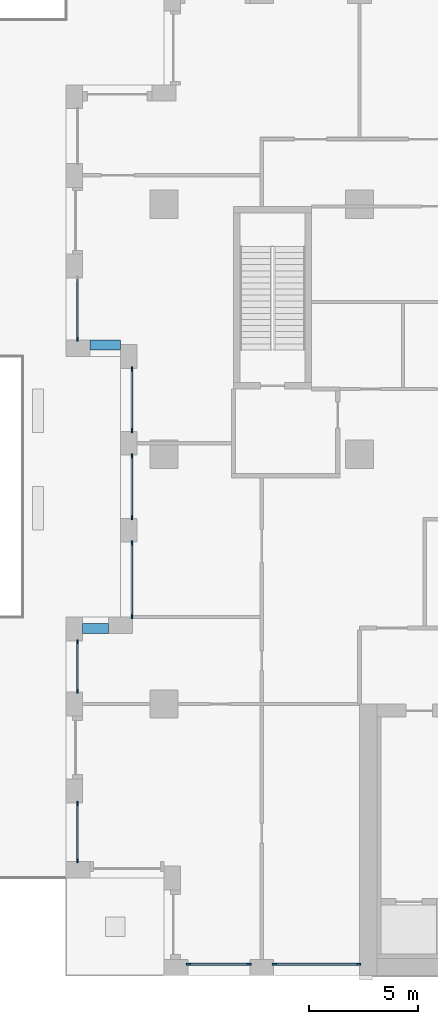
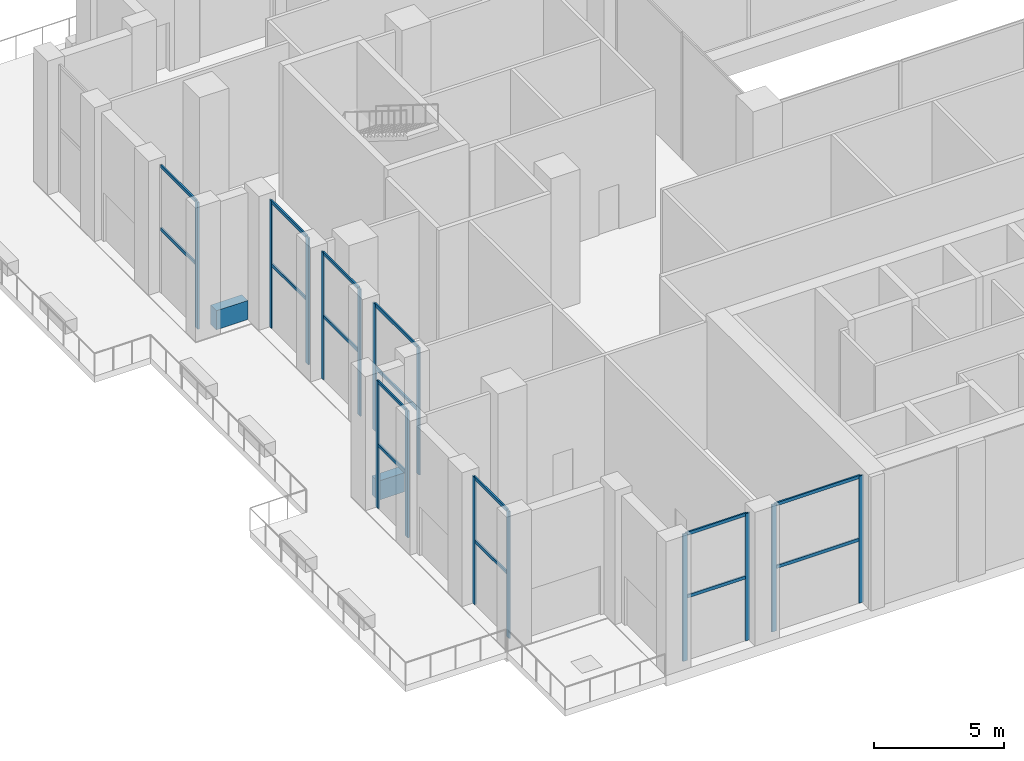
# One storey, part 2 of 21: 31 members, 2 beams, 8 elements without a shape of their own.
"""IFC4 building model written with IfcOpenShell, lengths in metres."""

from ifc_helpers import new_model, si_unit, direction, frame, origin, origin_2d, place, context, subcontext, project, spatial, rectangle, extrude, material, layer, layer_set, material_profile, profile_set, type_object, element, aggregate, save


model = new_model("IFC4")

# Units and contexts
model_context = context("Model", 3, precision=1e-05, world=origin(), true_north=direction((0.0, 1.0)))
body_context = subcontext(model_context, "Body", "Model", "MODEL_VIEW")
ifc_project = project(units=[si_unit("LENGTHUNIT", "METRE"), si_unit("AREAUNIT", "SQUARE_METRE"), si_unit("VOLUMEUNIT", "CUBIC_METRE"), si_unit("PLANEANGLEUNIT", "RADIAN"), si_unit("MASSUNIT", "GRAM", prefix="KILO")], contexts=[model_context])

# Site, building, storey
site_placement = place(None, origin())
site = spatial("IfcSite", under=ifc_project, at=site_placement, CompositionType="ELEMENT")
building_placement = place(site_placement, origin())
building = spatial("IfcBuilding", under=site, at=building_placement, Name="Brigalow Station Residences", CompositionType="ELEMENT")
storey_placement = place(building_placement, frame((0.0, 0.0, 77.25)))
storey = spatial("IfcBuildingStorey", under=building, at=storey_placement, Name="L22", CompositionType="ELEMENT", Elevation=77.25)

# Curtain wall, members
ifc_material_1 = material(Name="Aluminium", Category="aluminium")
ifc_layer = layer(ifc_material_1, 0.199951171875)
ifc_layer_set = layer_set([ifc_layer], Name="SKY FLOOR GLAZING CURTAIN WALL")
curtain_wall_type = type_object("IfcCurtainWallType", Name="SKY FLOOR GLAZING CURTAIN WALL", PredefinedType="NOTDEFINED", material=ifc_layer_set)
curtain_wall_1_placement = place(storey_placement, origin())
curtain_wall_1 = element("IfcCurtainWall", 1, at=curtain_wall_1_placement, inside=storey, type_object=curtain_wall_type, Name="L22/cw/W-L22-1", PredefinedType="NOTDEFINED")
ifc_material_2 = material(Name="Aluminium", Category="aluminium")
ifc_material_profile_1 = material_profile(ifc_material_2, rectangle(XDim=0.070068359375, YDim=0.199951171875, at=origin_2d()), Name="SKY FLOOR GLAZING MULLION 70x200")
ifc_profile_set_1 = profile_set([ifc_material_profile_1], Name="Aluminium")
member_type_1 = type_object("IfcMemberType", Name="SKY FLOOR GLAZING MULLION 70x200", PredefinedType="MULLION", material=ifc_profile_set_1)
member_1_placement = place(storey_placement, frame((10.135009765625, 0.52490234375, 0.0), z_axis=(0.0, 0.0, 1.0), x_axis=(0.0, 1.0, 0.0)))
member_1 = element("IfcMember", 2, at=member_1_placement, type_object=member_type_1, Name="L22/cw/W-L22-1/M00", PredefinedType="MULLION", context=body_context, shape_type="SweptSolid", body=[
    extrude(rectangle(XDim=0.070068359375, YDim=0.199951171875, at=origin_2d()), origin(), (0.0, 0.0, 1.0), 5.97998046875),
])
member_2_placement = place(storey_placement, frame((12.9150390625, 0.52490234375, 0.0), z_axis=(0.0, 0.0, 1.0), x_axis=(0.0, 1.0, 0.0)))
member_2 = element("IfcMember", 3, at=member_2_placement, type_object=member_type_1, Name="L22/cw/W-L22-1/M01", PredefinedType="MULLION", context=body_context, shape_type="SweptSolid", body=[
    extrude(rectangle(XDim=0.070068359375, YDim=0.199951171875, at=origin_2d()), origin(), (0.0, 0.0, 1.0), 5.97998046875),
])

curtain_wall_2_placement = place(storey_placement, origin())
curtain_wall_2 = element("IfcCurtainWall", 4, at=curtain_wall_2_placement, inside=storey, type_object=curtain_wall_type, Name="L22/cw/W-L22-2", PredefinedType="NOTDEFINED")
member_3_placement = place(storey_placement, frame((14.0849609375, 0.52490234375, 0.0), z_axis=(0.0, 0.0, 1.0), x_axis=(0.0, 1.0, 0.0)))
member_3 = element("IfcMember", 5, at=member_3_placement, type_object=member_type_1, Name="L22/cw/W-L22-2/M00", PredefinedType="MULLION", context=body_context, shape_type="SweptSolid", body=[
    extrude(rectangle(XDim=0.070068359375, YDim=0.199951171875, at=origin_2d()), origin(), (0.0, 0.0, 1.0), 5.97998046875),
])
member_4_placement = place(storey_placement, frame((17.965087890625, 0.52490234375, 0.0), z_axis=(0.0, 0.0, 1.0), x_axis=(0.0, 1.0, 0.0)))
member_4 = element("IfcMember", 6, at=member_4_placement, type_object=member_type_1, Name="L22/cw/W-L22-2/M01", PredefinedType="MULLION", context=body_context, shape_type="SweptSolid", body=[
    extrude(rectangle(XDim=0.070068359375, YDim=0.199951171875, at=origin_2d()), origin(), (0.0, 0.0, 1.0), 5.97998046875),
])

# Curtain wall, member
curtain_wall_3_placement = place(storey_placement, origin())
curtain_wall_3 = element("IfcCurtainWall", 7, at=curtain_wall_3_placement, inside=storey, type_object=curtain_wall_type, Name="L22/cw/W-L22-41", PredefinedType="NOTDEFINED")
member_5_placement = place(storey_placement, frame((5.02490234375, 29.284912109375, 0.0), z_axis=(0.0, 0.0, 1.0), x_axis=(1.0, 0.0, 0.0)))
member_5 = element("IfcMember", 8, at=member_5_placement, type_object=member_type_1, Name="L22/cw/W-L22-41/M01", PredefinedType="MULLION", context=body_context, shape_type="SweptSolid", body=[
    extrude(rectangle(XDim=0.070068359375, YDim=0.199951171875, at=origin_2d()), origin(), (0.0, 0.0, 1.0), 5.97998046875),
])

# Curtain wall, members
curtain_wall_4_placement = place(storey_placement, origin())
curtain_wall_4 = element("IfcCurtainWall", 9, at=curtain_wall_4_placement, inside=storey, type_object=curtain_wall_type, Name="L22/cw/W-L22-43", PredefinedType="NOTDEFINED")
member_6_placement = place(storey_placement, frame((7.52490234375, 27.9150390625, 0.0), z_axis=(0.0, 0.0, 1.0), x_axis=(1.0, 0.0, 0.0)))
member_6 = element("IfcMember", 10, at=member_6_placement, type_object=member_type_1, Name="L22/cw/W-L22-43/M00", PredefinedType="MULLION", context=body_context, shape_type="SweptSolid", body=[
    extrude(rectangle(XDim=0.070068359375, YDim=0.199951171875, at=origin_2d()), origin(), (0.0, 0.0, 1.0), 5.97998046875),
])
member_7_placement = place(storey_placement, frame((7.52490234375, 25.0849609375, 0.0), z_axis=(0.0, 0.0, 1.0), x_axis=(1.0, 0.0, 0.0)))
member_7 = element("IfcMember", 11, at=member_7_placement, type_object=member_type_1, Name="L22/cw/W-L22-43/M01", PredefinedType="MULLION", context=body_context, shape_type="SweptSolid", body=[
    extrude(rectangle(XDim=0.070068359375, YDim=0.199951171875, at=origin_2d()), origin(), (0.0, 0.0, 1.0), 5.97998046875),
])

curtain_wall_5_placement = place(storey_placement, origin())
curtain_wall_5 = element("IfcCurtainWall", 12, at=curtain_wall_5_placement, inside=storey, type_object=curtain_wall_type, Name="L22/cw/W-L22-44", PredefinedType="NOTDEFINED")
member_8_placement = place(storey_placement, frame((7.52490234375, 23.9150390625, 0.0), z_axis=(0.0, 0.0, 1.0), x_axis=(1.0, 0.0, 0.0)))
member_8 = element("IfcMember", 13, at=member_8_placement, type_object=member_type_1, Name="L22/cw/W-L22-44/M00", PredefinedType="MULLION", context=body_context, shape_type="SweptSolid", body=[
    extrude(rectangle(XDim=0.070068359375, YDim=0.199951171875, at=origin_2d()), origin(), (0.0, 0.0, 1.0), 5.97998046875),
])
member_9_placement = place(storey_placement, frame((7.52490234375, 21.0849609375, 0.0), z_axis=(0.0, 0.0, 1.0), x_axis=(1.0, 0.0, 0.0)))
member_9 = element("IfcMember", 14, at=member_9_placement, type_object=member_type_1, Name="L22/cw/W-L22-44/M01", PredefinedType="MULLION", context=body_context, shape_type="SweptSolid", body=[
    extrude(rectangle(XDim=0.070068359375, YDim=0.199951171875, at=origin_2d()), origin(), (0.0, 0.0, 1.0), 5.97998046875),
])

curtain_wall_6_placement = place(storey_placement, origin())
curtain_wall_6 = element("IfcCurtainWall", 15, at=curtain_wall_6_placement, inside=storey, type_object=curtain_wall_type, Name="L22/cw/W-L22-45", PredefinedType="NOTDEFINED")
member_10_placement = place(storey_placement, frame((7.52490234375, 19.9150390625, 0.0), z_axis=(0.0, 0.0, 1.0), x_axis=(1.0, 0.0, 0.0)))
member_10 = element("IfcMember", 16, at=member_10_placement, type_object=member_type_1, Name="L22/cw/W-L22-45/M00", PredefinedType="MULLION", context=body_context, shape_type="SweptSolid", body=[
    extrude(rectangle(XDim=0.070068359375, YDim=0.199951171875, at=origin_2d()), origin(), (0.0, 0.0, 1.0), 5.97998046875),
])
member_11_placement = place(storey_placement, frame((7.52490234375, 16.534912109375, 0.0), z_axis=(0.0, 0.0, 1.0), x_axis=(1.0, 0.0, 0.0)))
member_11 = element("IfcMember", 17, at=member_11_placement, type_object=member_type_1, Name="L22/cw/W-L22-45/M01", PredefinedType="MULLION", context=body_context, shape_type="SweptSolid", body=[
    extrude(rectangle(XDim=0.070068359375, YDim=0.199951171875, at=origin_2d()), origin(), (0.0, 0.0, 1.0), 5.97998046875),
])

curtain_wall_7_placement = place(storey_placement, origin())
curtain_wall_7 = element("IfcCurtainWall", 18, at=curtain_wall_7_placement, inside=storey, type_object=curtain_wall_type, Name="L22/cw/W-L22-47", PredefinedType="NOTDEFINED")
member_12_placement = place(storey_placement, frame((5.02490234375, 15.364990234375, 0.0), z_axis=(0.0, 0.0, 1.0), x_axis=(1.0, 0.0, 0.0)))
member_12 = element("IfcMember", 19, at=member_12_placement, type_object=member_type_1, Name="L22/cw/W-L22-47/M00", PredefinedType="MULLION", context=body_context, shape_type="SweptSolid", body=[
    extrude(rectangle(XDim=0.070068359375, YDim=0.199951171875, at=origin_2d()), origin(), (0.0, 0.0, 1.0), 5.97998046875),
])
member_13_placement = place(storey_placement, frame((5.02490234375, 13.0849609375, 0.0), z_axis=(0.0, 0.0, 1.0), x_axis=(1.0, 0.0, 0.0)))
member_13 = element("IfcMember", 20, at=member_13_placement, type_object=member_type_1, Name="L22/cw/W-L22-47/M01", PredefinedType="MULLION", context=body_context, shape_type="SweptSolid", body=[
    extrude(rectangle(XDim=0.070068359375, YDim=0.199951171875, at=origin_2d()), origin(), (0.0, 0.0, 1.0), 5.97998046875),
])

curtain_wall_8_placement = place(storey_placement, origin())
curtain_wall_8 = element("IfcCurtainWall", 21, at=curtain_wall_8_placement, inside=storey, type_object=curtain_wall_type, Name="L22/cw/W-L22-49", PredefinedType="NOTDEFINED")
member_14_placement = place(storey_placement, frame((5.02490234375, 7.9150390625, 0.0), z_axis=(0.0, 0.0, 1.0), x_axis=(1.0, 0.0, 0.0)))
member_14 = element("IfcMember", 22, at=member_14_placement, type_object=member_type_1, Name="L22/cw/W-L22-49/M00", PredefinedType="MULLION", context=body_context, shape_type="SweptSolid", body=[
    extrude(rectangle(XDim=0.070068359375, YDim=0.199951171875, at=origin_2d()), origin(), (0.0, 0.0, 1.0), 5.97998046875),
])
member_15_placement = place(storey_placement, frame((5.02490234375, 5.284912109375, 0.0), z_axis=(0.0, 0.0, 1.0), x_axis=(1.0, 0.0, 0.0)))
member_15 = element("IfcMember", 23, at=member_15_placement, type_object=member_type_1, Name="L22/cw/W-L22-49/M01", PredefinedType="MULLION", context=body_context, shape_type="SweptSolid", body=[
    extrude(rectangle(XDim=0.070068359375, YDim=0.199951171875, at=origin_2d()), origin(), (0.0, 0.0, 1.0), 5.97998046875),
])

# Member
ifc_material_3 = material(Name="Aluminium", Category="aluminium")
ifc_material_profile_2 = material_profile(ifc_material_3, rectangle(XDim=0.070068359375, YDim=0.14990234375, at=origin_2d()), Name="SKY FLOOR GLAZING TRANSOM 70x150")
ifc_profile_set_2 = profile_set([ifc_material_profile_2], Name="Aluminium")
member_type_2 = type_object("IfcMemberType", Name="SKY FLOOR GLAZING TRANSOM 70x150", PredefinedType="USERDEFINED", material=ifc_profile_set_2)
member_16_placement = place(storey_placement, frame((10.169921875, 0.52490234375, 2.989990234375), z_axis=(1.0, 0.0, 0.0), x_axis=(0.0, 1.0, 0.0)))
member_16 = element("IfcMember", 24, at=member_16_placement, type_object=member_type_2, Name="L22/cw/W-L22-1/T00-00", ObjectType="TRANSOM", PredefinedType="USERDEFINED", context=body_context, shape_type="SweptSolid", body=[
    extrude(rectangle(XDim=0.070068359375, YDim=0.14990234375, at=origin_2d()), origin(), (0.0, 0.0, 1.0), 2.7099609375),
])

member_17_placement = place(storey_placement, frame((10.169921875, 0.52490234375, 5.945068359375), z_axis=(1.0, 0.0, 0.0), x_axis=(0.0, 1.0, 0.0)))
member_17 = element("IfcMember", 25, at=member_17_placement, type_object=member_type_2, Name="L22/cw/W-L22-1/T00-01", ObjectType="TRANSOM", PredefinedType="USERDEFINED", context=body_context, shape_type="SweptSolid", body=[
    extrude(rectangle(XDim=0.070068359375, YDim=0.14990234375, at=origin_2d()), origin(), (0.0, 0.0, 1.0), 2.7099609375),
])

aggregate(curtain_wall_1, [member_1, member_2, member_16, member_17])

member_18_placement = place(storey_placement, frame((14.1201171875, 0.52490234375, 2.989990234375), z_axis=(1.0, 0.0, 0.0), x_axis=(0.0, 1.0, 0.0)))
member_18 = element("IfcMember", 26, at=member_18_placement, type_object=member_type_2, Name="L22/cw/W-L22-2/T00-00", ObjectType="TRANSOM", PredefinedType="USERDEFINED", context=body_context, shape_type="SweptSolid", body=[
    extrude(rectangle(XDim=0.070068359375, YDim=0.14990234375, at=origin_2d()), origin(), (0.0, 0.0, 1.0), 3.809814453125),
])

member_19_placement = place(storey_placement, frame((14.1201171875, 0.52490234375, 5.945068359375), z_axis=(1.0, 0.0, 0.0), x_axis=(0.0, 1.0, 0.0)))
member_19 = element("IfcMember", 27, at=member_19_placement, type_object=member_type_2, Name="L22/cw/W-L22-2/T00-01", ObjectType="TRANSOM", PredefinedType="USERDEFINED", context=body_context, shape_type="SweptSolid", body=[
    extrude(rectangle(XDim=0.070068359375, YDim=0.14990234375, at=origin_2d()), origin(), (0.0, 0.0, 1.0), 3.809814453125),
])

aggregate(curtain_wall_2, [member_3, member_4, member_18, member_19])

member_20_placement = place(storey_placement, frame((5.02490234375, 32.047119140625, 2.989990234375), z_axis=(0.0, -1.0, 0.0), x_axis=(1.0, 0.0, 0.0)))
member_20 = element("IfcMember", 28, at=member_20_placement, type_object=member_type_2, Name="L22/cw/W-L22-41/T00-00", ObjectType="TRANSOM", PredefinedType="USERDEFINED", context=body_context, shape_type="SweptSolid", body=[
    extrude(rectangle(XDim=0.070068359375, YDim=0.14990234375, at=origin_2d()), origin(), (0.0, 0.0, 1.0), 2.72705078125),
])

member_21_placement = place(storey_placement, frame((5.02490234375, 32.047119140625, 5.945068359375), z_axis=(0.0, -1.0, 0.0), x_axis=(1.0, 0.0, 0.0)))
member_21 = element("IfcMember", 29, at=member_21_placement, type_object=member_type_2, Name="L22/cw/W-L22-41/T00-01", ObjectType="TRANSOM", PredefinedType="USERDEFINED", context=body_context, shape_type="SweptSolid", body=[
    extrude(rectangle(XDim=0.070068359375, YDim=0.14990234375, at=origin_2d()), origin(), (0.0, 0.0, 1.0), 2.72705078125),
])

aggregate(curtain_wall_3, [member_5, member_20, member_21])

member_22_placement = place(storey_placement, frame((7.52490234375, 27.8798828125, 2.989990234375), z_axis=(0.0, -1.0, 0.0), x_axis=(1.0, 0.0, 0.0)))
member_22 = element("IfcMember", 30, at=member_22_placement, type_object=member_type_2, Name="L22/cw/W-L22-43/T00-00", ObjectType="TRANSOM", PredefinedType="USERDEFINED", context=body_context, shape_type="SweptSolid", body=[
    extrude(rectangle(XDim=0.070068359375, YDim=0.14990234375, at=origin_2d()), origin(), (0.0, 0.0, 1.0), 2.759765625),
])

member_23_placement = place(storey_placement, frame((7.52490234375, 27.8798828125, 5.945068359375), z_axis=(0.0, -1.0, 0.0), x_axis=(1.0, 0.0, 0.0)))
member_23 = element("IfcMember", 31, at=member_23_placement, type_object=member_type_2, Name="L22/cw/W-L22-43/T00-01", ObjectType="TRANSOM", PredefinedType="USERDEFINED", context=body_context, shape_type="SweptSolid", body=[
    extrude(rectangle(XDim=0.070068359375, YDim=0.14990234375, at=origin_2d()), origin(), (0.0, 0.0, 1.0), 2.759765625),
])

aggregate(curtain_wall_4, [member_6, member_7, member_22, member_23])

member_24_placement = place(storey_placement, frame((7.52490234375, 23.8798828125, 2.989990234375), z_axis=(0.0, -1.0, 0.0), x_axis=(1.0, 0.0, 0.0)))
member_24 = element("IfcMember", 32, at=member_24_placement, type_object=member_type_2, Name="L22/cw/W-L22-44/T00-00", ObjectType="TRANSOM", PredefinedType="USERDEFINED", context=body_context, shape_type="SweptSolid", body=[
    extrude(rectangle(XDim=0.070068359375, YDim=0.14990234375, at=origin_2d()), origin(), (0.0, 0.0, 1.0), 2.759765625),
])

member_25_placement = place(storey_placement, frame((7.52490234375, 23.8798828125, 5.945068359375), z_axis=(0.0, -1.0, 0.0), x_axis=(1.0, 0.0, 0.0)))
member_25 = element("IfcMember", 33, at=member_25_placement, type_object=member_type_2, Name="L22/cw/W-L22-44/T00-01", ObjectType="TRANSOM", PredefinedType="USERDEFINED", context=body_context, shape_type="SweptSolid", body=[
    extrude(rectangle(XDim=0.070068359375, YDim=0.14990234375, at=origin_2d()), origin(), (0.0, 0.0, 1.0), 2.759765625),
])

aggregate(curtain_wall_5, [member_8, member_9, member_24, member_25])

member_26_placement = place(storey_placement, frame((7.52490234375, 19.8798828125, 2.989990234375), z_axis=(0.0, -1.0, 0.0), x_axis=(1.0, 0.0, 0.0)))
member_26 = element("IfcMember", 34, at=member_26_placement, type_object=member_type_2, Name="L22/cw/W-L22-45/T00-00", ObjectType="TRANSOM", PredefinedType="USERDEFINED", context=body_context, shape_type="SweptSolid", body=[
    extrude(rectangle(XDim=0.070068359375, YDim=0.14990234375, at=origin_2d()), origin(), (0.0, 0.0, 1.0), 3.309814453125),
])

member_27_placement = place(storey_placement, frame((7.52490234375, 19.8798828125, 5.945068359375), z_axis=(0.0, -1.0, 0.0), x_axis=(1.0, 0.0, 0.0)))
member_27 = element("IfcMember", 35, at=member_27_placement, type_object=member_type_2, Name="L22/cw/W-L22-45/T00-01", ObjectType="TRANSOM", PredefinedType="USERDEFINED", context=body_context, shape_type="SweptSolid", body=[
    extrude(rectangle(XDim=0.070068359375, YDim=0.14990234375, at=origin_2d()), origin(), (0.0, 0.0, 1.0), 3.309814453125),
])

aggregate(curtain_wall_6, [member_10, member_11, member_26, member_27])

member_28_placement = place(storey_placement, frame((5.02490234375, 15.330078125, 2.989990234375), z_axis=(0.0, -1.0, 0.0), x_axis=(1.0, 0.0, 0.0)))
member_28 = element("IfcMember", 36, at=member_28_placement, type_object=member_type_2, Name="L22/cw/W-L22-47/T00-00", ObjectType="TRANSOM", PredefinedType="USERDEFINED", context=body_context, shape_type="SweptSolid", body=[
    extrude(rectangle(XDim=0.070068359375, YDim=0.14990234375, at=origin_2d()), origin(), (0.0, 0.0, 1.0), 2.2099609375),
])

member_29_placement = place(storey_placement, frame((5.02490234375, 15.330078125, 5.945068359375), z_axis=(0.0, -1.0, 0.0), x_axis=(1.0, 0.0, 0.0)))
member_29 = element("IfcMember", 37, at=member_29_placement, type_object=member_type_2, Name="L22/cw/W-L22-47/T00-01", ObjectType="TRANSOM", PredefinedType="USERDEFINED", context=body_context, shape_type="SweptSolid", body=[
    extrude(rectangle(XDim=0.070068359375, YDim=0.14990234375, at=origin_2d()), origin(), (0.0, 0.0, 1.0), 2.2099609375),
])

aggregate(curtain_wall_7, [member_12, member_13, member_28, member_29])

member_30_placement = place(storey_placement, frame((5.02490234375, 7.8798828125, 2.989990234375), z_axis=(0.0, -1.0, 0.0), x_axis=(1.0, 0.0, 0.0)))
member_30 = element("IfcMember", 38, at=member_30_placement, type_object=member_type_2, Name="L22/cw/W-L22-49/T00-00", ObjectType="TRANSOM", PredefinedType="USERDEFINED", context=body_context, shape_type="SweptSolid", body=[
    extrude(rectangle(XDim=0.070068359375, YDim=0.14990234375, at=origin_2d()), origin(), (0.0, 0.0, 1.0), 2.559814453125),
])

member_31_placement = place(storey_placement, frame((5.02490234375, 7.8798828125, 5.945068359375), z_axis=(0.0, -1.0, 0.0), x_axis=(1.0, 0.0, 0.0)))
member_31 = element("IfcMember", 39, at=member_31_placement, type_object=member_type_2, Name="L22/cw/W-L22-49/T00-01", ObjectType="TRANSOM", PredefinedType="USERDEFINED", context=body_context, shape_type="SweptSolid", body=[
    extrude(rectangle(XDim=0.070068359375, YDim=0.14990234375, at=origin_2d()), origin(), (0.0, 0.0, 1.0), 2.559814453125),
])

aggregate(curtain_wall_8, [member_14, member_15, member_30, member_31])

# Beams
ifc_material_4 = material(Name="Concrete C65", Category="concrete")
ifc_material_profile_3 = material_profile(ifc_material_4, rectangle(XDim=0.449951171875, YDim=0.89990234375, at=origin_2d()), Name="RC450x900")
ifc_profile_set_3 = profile_set([ifc_material_profile_3], Name="Concrete C65")
beam_type = type_object("IfcBeamType", Name="SPANDREL BEAM 450x900 C65", PredefinedType="SPANDREL", material=ifc_profile_set_3)
beam_1_placement = place(storey_placement, frame((5.60009765625, 29.02490234375, 0.449951171875), z_axis=(1.0, 0.0, 0.0), x_axis=(0.0, 1.0, 0.0)))
element("IfcBeam", 40, at=beam_1_placement, inside=storey, type_object=beam_type, Name="L22/spandrel/W-L22-42", PredefinedType="SPANDREL", context=body_context, shape_type="SweptSolid", body=[
    extrude(rectangle(XDim=0.449951171875, YDim=0.89990234375, at=origin_2d()), origin(), (0.0, 0.0, 1.0), 1.39990234375),
])
beam_2_placement = place(storey_placement, frame((6.449951171875, 15.97509765625, 0.449951171875), z_axis=(-1.0, 0.0, 0.0), x_axis=(0.0, -1.0, 0.0)))
element("IfcBeam", 41, at=beam_2_placement, inside=storey, type_object=beam_type, Name="L22/spandrel/W-L22-46", PredefinedType="SPANDREL", context=body_context, shape_type="SweptSolid", body=[
    extrude(rectangle(XDim=0.449951171875, YDim=0.89990234375, at=origin_2d()), origin(), (0.0, 0.0, 1.0), 1.199951171875),
])

save(model, "model.ifc")
